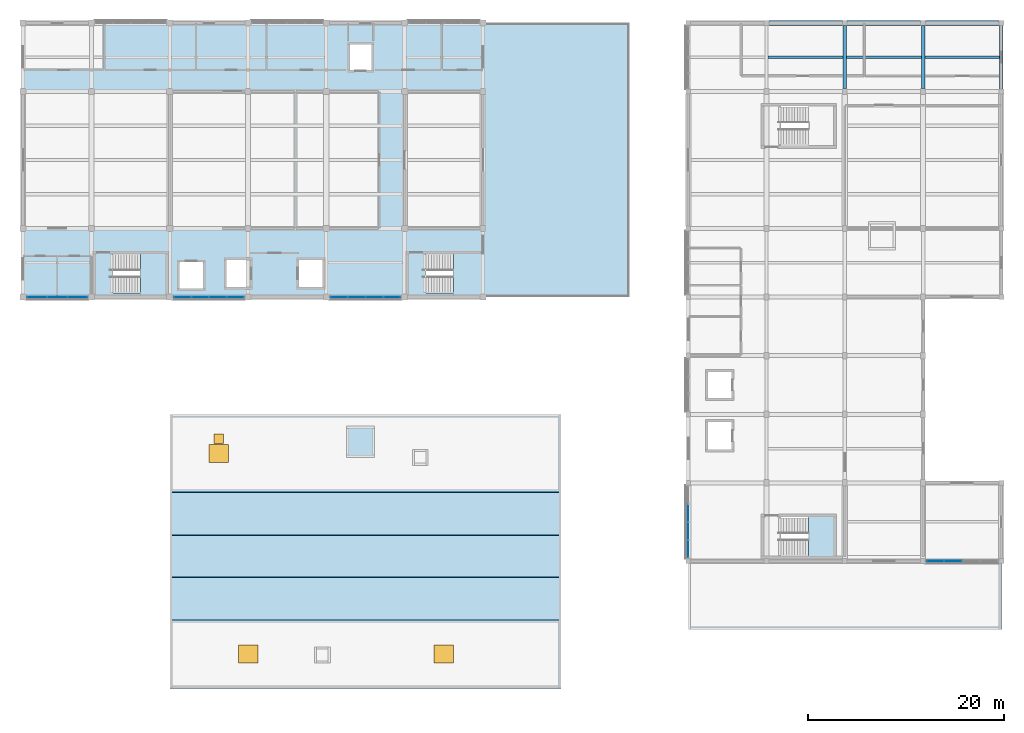
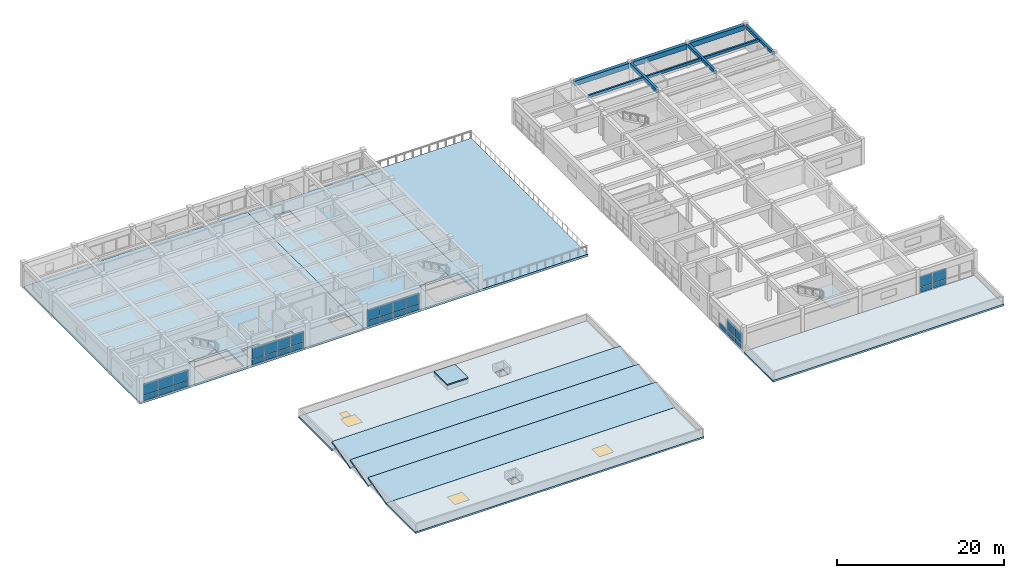
# One storey, part 9 of 22: 31 plates, 13 slabs, 9 beams, 3 windows, 1 door, 4 openings, 8 elements without a shape of their own.
"""IFC4 building model written with IfcOpenShell, lengths in metres."""

from ifc_helpers import new_model, si_unit, direction, frame, origin, origin_2d, place, context, subcontext, project, spatial, polyline, rectangle, outline, extrude, material, layer, layer_set, material_profile, profile_set, type_object, element, fill, aggregate, save


model = new_model("IFC4")

# Units and contexts
model_context = context("Model", 3, precision=1e-05, world=origin(), true_north=direction((0.0, 1.0)))
body_context = subcontext(model_context, "Body", "Model", "MODEL_VIEW")
ifc_project = project(units=[si_unit("LENGTHUNIT", "METRE"), si_unit("AREAUNIT", "SQUARE_METRE"), si_unit("VOLUMEUNIT", "CUBIC_METRE"), si_unit("PLANEANGLEUNIT", "RADIAN"), si_unit("MASSUNIT", "GRAM", prefix="KILO")], contexts=[model_context])

# Site, building, storey
site_placement = place(None, origin())
site = spatial("IfcSite", under=ifc_project, at=site_placement, CompositionType="ELEMENT")
building_placement = place(site_placement, origin())
building = spatial("IfcBuilding", under=site, at=building_placement, Name="Naurynzar Civic Courthouse", CompositionType="ELEMENT")
storey_placement = place(building_placement, frame((0.0, 0.0, 25.800048828125)))
storey = spatial("IfcBuildingStorey", under=building, at=storey_placement, Name="L07", CompositionType="ELEMENT", Elevation=25.800048828125)

# Beams
ifc_material_1 = material(Name="Concrete C40/50", Category="concrete")
ifc_material_profile_1 = material_profile(ifc_material_1, rectangle(XDim=0.25, YDim=0.39990234375, at=origin_2d()), Name="RCB 250x400")
ifc_profile_set_1 = profile_set([ifc_material_profile_1], Name="Concrete C40/50")
beam_type_1 = type_object("IfcBeamType", Name="BM-JST-250x400", PredefinedType="JOIST", material=ifc_profile_set_1)
for number, where, z_axis, x_axis, name in (
    (1, (138.175048828125, 68.5, 3.27001953125), (1.0, 0.0, 0.0), (0.0, 1.0, 0.0), "V5 secondary rib 2902 L07"),
    (2, (146.175048828125, 68.5, 3.27001953125), (1.0, 0.0, 0.0), (0.0, 1.0, 0.0), "V5 secondary rib 2903 L07"),
    (3, (154.175048828125, 68.5, 3.27001953125), (1.0, 0.0, 0.0), (0.0, 1.0, 0.0), "V5 secondary rib 2904 L07"),
):
    element("IfcBeam", number, at=place(storey_placement, frame(where, z_axis=z_axis, x_axis=x_axis)), inside=storey, type_object=beam_type_1, Name=name, PredefinedType="JOIST", context=body_context, shape_type="SweptSolid", body=[
        extrude(rectangle(XDim=0.25, YDim=0.39990234375, at=origin_2d()), origin(), (0.0, 0.0, 1.0), 7.64990234375),
    ])
ifc_material_2 = material(Name="Concrete C40/50", Category="concrete")
ifc_material_profile_2 = material_profile(ifc_material_2, rectangle(XDim=0.35009765625, YDim=0.5, at=origin_2d()), Name="RCB 350x500")
ifc_profile_set_2 = profile_set([ifc_material_profile_2], Name="Concrete C40/50")
beam_type_2 = type_object("IfcBeamType", Name="BM-RC-350x500", PredefinedType="BEAM", material=ifc_profile_set_2)
for number, where, z_axis, x_axis, name in (
    (4, (146.0, 65.324951171875, 3.219970703125), (0.0, 1.0, 0.0), (-1.0, 0.0, 0.0), "V5 girder Y-2871 L07"),
    (5, (154.0, 65.324951171875, 3.219970703125), (0.0, 1.0, 0.0), (-1.0, 0.0, 0.0), "V5 girder Y-2878 L07"),
):
    element("IfcBeam", number, at=place(storey_placement, frame(where, z_axis=z_axis, x_axis=x_axis)), inside=storey, type_object=beam_type_2, Name=name, PredefinedType="BEAM", context=body_context, shape_type="SweptSolid", body=[
        extrude(rectangle(XDim=0.35009765625, YDim=0.5, at=origin_2d()), origin(), (0.0, 0.0, 1.0), 6.425048828125),
    ])
beam_placement = place(storey_placement, frame((162.0, 65.25, 3.219970703125), z_axis=(0.0, 1.0, 0.0), x_axis=(-1.0, 0.0, 0.0)))
element("IfcBeam", 6, at=beam_placement, inside=storey, type_object=beam_type_2, Name="V5 girder Y-2882 L07", PredefinedType="BEAM", context=body_context, shape_type="SweptSolid", body=[
    extrude(rectangle(XDim=0.35009765625, YDim=0.5, at=origin_2d()), origin(), (0.0, 0.0, 1.0), 6.5),
])
ifc_material_3 = material(Name="Concrete C40/50", Category="concrete")
ifc_material_profile_3 = material_profile(ifc_material_3, rectangle(XDim=0.47509765625, YDim=0.72509765625, at=origin_2d()), Name="RCB 475x725")
ifc_profile_set_3 = profile_set([ifc_material_profile_3], Name="Concrete C40/50")
beam_type_3 = type_object("IfcBeamType", Name="BM-RC-475x725", PredefinedType="SPANDREL", material=ifc_profile_set_3)
for number, where, z_axis, x_axis, name in (
    (7, (138.25, 72.0, 3.107421875), (1.0, 0.0, 0.0), (0.0, 1.0, 0.0), "V5 beam X-2848 L07"),
    (8, (146.25, 72.0, 3.107421875), (1.0, 0.0, 0.0), (0.0, 1.0, 0.0), "V5 beam X-2849 L07"),
    (9, (154.25, 72.0, 3.107421875), (1.0, 0.0, 0.0), (0.0, 1.0, 0.0), "V5 beam X-2850 L07"),
):
    element("IfcBeam", number, at=place(storey_placement, frame(where, z_axis=z_axis, x_axis=x_axis)), inside=storey, type_object=beam_type_3, Name=name, PredefinedType="SPANDREL", context=body_context, shape_type="SweptSolid", body=[
        extrude(rectangle(XDim=0.47509765625, YDim=0.72509765625, at=origin_2d()), origin(), (0.0, 0.0, 1.0), 7.5),
    ])

# Curtain wall, plates
ifc_material_4 = material(Name="Aluminium 6063-T6", Category="aluminium")
ifc_layer_1 = layer(ifc_material_4, 0.159912109375)
ifc_layer_set_1 = layer_set([ifc_layer_1], Name="CW-UNIT-1800")
curtain_wall_type = type_object("IfcCurtainWallType", Name="CW-UNIT-1800", PredefinedType="NOTDEFINED", material=ifc_layer_set_1)
curtain_wall_1_placement = place(storey_placement, origin())
curtain_wall_1 = element("IfcCurtainWall", 10, at=curtain_wall_1_placement, inside=storey, type_object=curtain_wall_type, Name="V2 unitised curtain wall 51 L07", PredefinedType="NOTDEFINED")
ifc_material_5 = material(Name="Tempered Laminated Low-E Glass", Category="glass")
ifc_layer_2 = layer(ifc_material_5, 0.035888671875)
ifc_layer_set_2 = layer_set([ifc_layer_2], Name="CWP-IGU-36")
plate_type = type_object("IfcPlateType", Name="CWP-IGU-36", PredefinedType="CURTAIN_PANEL", material=ifc_layer_set_2)
plate_1_placement = place(storey_placement, frame((99.710693359375, 44.0, 0.06982421875), z_axis=(0.0, 0.0, 1.0), x_axis=(-1.0, 0.0, 0.0)))
plate_1 = element("IfcPlate", 11, at=plate_1_placement, type_object=plate_type, Name="CW-02 panel 1.1", PredefinedType="CURTAIN_PANEL", context=body_context, shape_type="SweptSolid", body=[
    extrude(rectangle(XDim=1.7138671875, YDim=0.035888671875, at=origin_2d()), origin(), (0.0, 0.0, 1.0), 0.7451171875),
])
plate_2_placement = place(storey_placement, frame((99.710693359375, 44.0, 0.885009765625), z_axis=(0.0, 0.0, 1.0), x_axis=(-1.0, 0.0, 0.0)))
plate_2 = element("IfcPlate", 12, at=plate_2_placement, type_object=plate_type, Name="CW-02 panel 1.2", PredefinedType="CURTAIN_PANEL", context=body_context, shape_type="SweptSolid", body=[
    extrude(rectangle(XDim=1.7138671875, YDim=0.035888671875, at=origin_2d()), origin(), (0.0, 0.0, 1.0), 1.64501953125),
])
plate_3_placement = place(storey_placement, frame((97.909423828125, 44.0, 0.06982421875), z_axis=(0.0, 0.0, 1.0), x_axis=(-1.0, 0.0, 0.0)))
plate_3 = element("IfcPlate", 13, at=plate_3_placement, type_object=plate_type, Name="CW-02 panel 2.1", PredefinedType="CURTAIN_PANEL", context=body_context, shape_type="SweptSolid", body=[
    extrude(rectangle(XDim=1.748779296875, YDim=0.035888671875, at=origin_2d()), origin(), (0.0, 0.0, 1.0), 0.7451171875),
])
plate_4_placement = place(storey_placement, frame((97.909423828125, 44.0, 0.885009765625), z_axis=(0.0, 0.0, 1.0), x_axis=(-1.0, 0.0, 0.0)))
plate_4 = element("IfcPlate", 14, at=plate_4_placement, type_object=plate_type, Name="CW-02 panel 2.2", PredefinedType="CURTAIN_PANEL", context=body_context, shape_type="SweptSolid", body=[
    extrude(rectangle(XDim=1.748779296875, YDim=0.035888671875, at=origin_2d()), origin(), (0.0, 0.0, 1.0), 1.64501953125),
])
plate_5_placement = place(storey_placement, frame((96.090576171875, 44.0, 0.06982421875), z_axis=(0.0, 0.0, 1.0), x_axis=(-1.0, 0.0, 0.0)))
plate_5 = element("IfcPlate", 15, at=plate_5_placement, type_object=plate_type, Name="CW-02 panel 3.1", PredefinedType="CURTAIN_PANEL", context=body_context, shape_type="SweptSolid", body=[
    extrude(rectangle(XDim=1.748779296875, YDim=0.035888671875, at=origin_2d()), origin(), (0.0, 0.0, 1.0), 0.7451171875),
])
plate_6_placement = place(storey_placement, frame((96.090576171875, 44.0, 0.885009765625), z_axis=(0.0, 0.0, 1.0), x_axis=(-1.0, 0.0, 0.0)))
plate_6 = element("IfcPlate", 16, at=plate_6_placement, type_object=plate_type, Name="CW-02 panel 3.2", PredefinedType="CURTAIN_PANEL", context=body_context, shape_type="SweptSolid", body=[
    extrude(rectangle(XDim=1.748779296875, YDim=0.035888671875, at=origin_2d()), origin(), (0.0, 0.0, 1.0), 1.64501953125),
])
plate_7_placement = place(storey_placement, frame((94.289306640625, 44.0, 0.06982421875), z_axis=(0.0, 0.0, 1.0), x_axis=(-1.0, 0.0, 0.0)))
plate_7 = element("IfcPlate", 17, at=plate_7_placement, type_object=plate_type, Name="CW-02 panel 4.1", PredefinedType="CURTAIN_PANEL", context=body_context, shape_type="SweptSolid", body=[
    extrude(rectangle(XDim=1.7138671875, YDim=0.035888671875, at=origin_2d()), origin(), (0.0, 0.0, 1.0), 0.7451171875),
])
plate_8_placement = place(storey_placement, frame((94.289306640625, 44.0, 0.885009765625), z_axis=(0.0, 0.0, 1.0), x_axis=(-1.0, 0.0, 0.0)))
plate_8 = element("IfcPlate", 18, at=plate_8_placement, type_object=plate_type, Name="CW-02 panel 4.2", PredefinedType="CURTAIN_PANEL", context=body_context, shape_type="SweptSolid", body=[
    extrude(rectangle(XDim=1.7138671875, YDim=0.035888671875, at=origin_2d()), origin(), (0.0, 0.0, 1.0), 1.64501953125),
])
aggregate(curtain_wall_1, [plate_1, plate_2, plate_3, plate_4, plate_5, plate_6, plate_7, plate_8])

curtain_wall_2_placement = place(storey_placement, origin())
curtain_wall_2 = element("IfcCurtainWall", 19, at=curtain_wall_2_placement, inside=storey, type_object=curtain_wall_type, Name="V2 unitised curtain wall 52 L07", PredefinedType="NOTDEFINED")
plate_9_placement = place(storey_placement, frame((83.710693359375, 44.0, 0.06982421875), z_axis=(0.0, 0.0, 1.0), x_axis=(-1.0, 0.0, 0.0)))
plate_9 = element("IfcPlate", 20, at=plate_9_placement, type_object=plate_type, Name="CW-02 panel 1.1", PredefinedType="CURTAIN_PANEL", context=body_context, shape_type="SweptSolid", body=[
    extrude(rectangle(XDim=1.7138671875, YDim=0.035888671875, at=origin_2d()), origin(), (0.0, 0.0, 1.0), 0.7451171875),
])
plate_10_placement = place(storey_placement, frame((83.710693359375, 44.0, 0.885009765625), z_axis=(0.0, 0.0, 1.0), x_axis=(-1.0, 0.0, 0.0)))
plate_10 = element("IfcPlate", 21, at=plate_10_placement, type_object=plate_type, Name="CW-02 panel 1.2", PredefinedType="CURTAIN_PANEL", context=body_context, shape_type="SweptSolid", body=[
    extrude(rectangle(XDim=1.7138671875, YDim=0.035888671875, at=origin_2d()), origin(), (0.0, 0.0, 1.0), 1.64501953125),
])
plate_11_placement = place(storey_placement, frame((81.909423828125, 44.0, 0.06982421875), z_axis=(0.0, 0.0, 1.0), x_axis=(-1.0, 0.0, 0.0)))
plate_11 = element("IfcPlate", 22, at=plate_11_placement, type_object=plate_type, Name="CW-02 panel 2.1", PredefinedType="CURTAIN_PANEL", context=body_context, shape_type="SweptSolid", body=[
    extrude(rectangle(XDim=1.748779296875, YDim=0.035888671875, at=origin_2d()), origin(), (0.0, 0.0, 1.0), 0.7451171875),
])
plate_12_placement = place(storey_placement, frame((81.909423828125, 44.0, 0.885009765625), z_axis=(0.0, 0.0, 1.0), x_axis=(-1.0, 0.0, 0.0)))
plate_12 = element("IfcPlate", 23, at=plate_12_placement, type_object=plate_type, Name="CW-02 panel 2.2", PredefinedType="CURTAIN_PANEL", context=body_context, shape_type="SweptSolid", body=[
    extrude(rectangle(XDim=1.748779296875, YDim=0.035888671875, at=origin_2d()), origin(), (0.0, 0.0, 1.0), 1.64501953125),
])
plate_13_placement = place(storey_placement, frame((80.090576171875, 44.0, 0.06982421875), z_axis=(0.0, 0.0, 1.0), x_axis=(-1.0, 0.0, 0.0)))
plate_13 = element("IfcPlate", 24, at=plate_13_placement, type_object=plate_type, Name="CW-02 panel 3.1", PredefinedType="CURTAIN_PANEL", context=body_context, shape_type="SweptSolid", body=[
    extrude(rectangle(XDim=1.748779296875, YDim=0.035888671875, at=origin_2d()), origin(), (0.0, 0.0, 1.0), 0.7451171875),
])
plate_14_placement = place(storey_placement, frame((80.090576171875, 44.0, 0.885009765625), z_axis=(0.0, 0.0, 1.0), x_axis=(-1.0, 0.0, 0.0)))
plate_14 = element("IfcPlate", 25, at=plate_14_placement, type_object=plate_type, Name="CW-02 panel 3.2", PredefinedType="CURTAIN_PANEL", context=body_context, shape_type="SweptSolid", body=[
    extrude(rectangle(XDim=1.748779296875, YDim=0.035888671875, at=origin_2d()), origin(), (0.0, 0.0, 1.0), 1.64501953125),
])
plate_15_placement = place(storey_placement, frame((78.289306640625, 44.0, 0.06982421875), z_axis=(0.0, 0.0, 1.0), x_axis=(-1.0, 0.0, 0.0)))
plate_15 = element("IfcPlate", 26, at=plate_15_placement, type_object=plate_type, Name="CW-02 panel 4.1", PredefinedType="CURTAIN_PANEL", context=body_context, shape_type="SweptSolid", body=[
    extrude(rectangle(XDim=1.7138671875, YDim=0.035888671875, at=origin_2d()), origin(), (0.0, 0.0, 1.0), 0.7451171875),
])
plate_16_placement = place(storey_placement, frame((78.289306640625, 44.0, 0.885009765625), z_axis=(0.0, 0.0, 1.0), x_axis=(-1.0, 0.0, 0.0)))
plate_16 = element("IfcPlate", 27, at=plate_16_placement, type_object=plate_type, Name="CW-02 panel 4.2", PredefinedType="CURTAIN_PANEL", context=body_context, shape_type="SweptSolid", body=[
    extrude(rectangle(XDim=1.7138671875, YDim=0.035888671875, at=origin_2d()), origin(), (0.0, 0.0, 1.0), 1.64501953125),
])
aggregate(curtain_wall_2, [plate_9, plate_10, plate_11, plate_12, plate_13, plate_14, plate_15, plate_16])

curtain_wall_3_placement = place(storey_placement, origin())
curtain_wall_3 = element("IfcCurtainWall", 28, at=curtain_wall_3_placement, inside=storey, type_object=curtain_wall_type, Name="V2 unitised curtain wall 53 L07", PredefinedType="NOTDEFINED")
plate_17_placement = place(storey_placement, frame((67.57421875, 44.0, 0.06982421875), z_axis=(0.0, 0.0, 1.0), x_axis=(-1.0, 0.0, 0.0)))
plate_17 = element("IfcPlate", 29, at=plate_17_placement, type_object=plate_type, Name="CW-02 panel 1.1", PredefinedType="CURTAIN_PANEL", context=body_context, shape_type="SweptSolid", body=[
    extrude(rectangle(XDim=1.986572265625, YDim=0.035888671875, at=origin_2d()), origin(), (0.0, 0.0, 1.0), 0.7451171875),
])
plate_18_placement = place(storey_placement, frame((67.57421875, 44.0, 0.885009765625), z_axis=(0.0, 0.0, 1.0), x_axis=(-1.0, 0.0, 0.0)))
plate_18 = element("IfcPlate", 30, at=plate_18_placement, type_object=plate_type, Name="CW-02 panel 1.2", PredefinedType="CURTAIN_PANEL", context=body_context, shape_type="SweptSolid", body=[
    extrude(rectangle(XDim=1.986572265625, YDim=0.035888671875, at=origin_2d()), origin(), (0.0, 0.0, 1.0), 1.64501953125),
])
plate_19_placement = place(storey_placement, frame((65.5, 44.0, 0.06982421875), z_axis=(0.0, 0.0, 1.0), x_axis=(-1.0, 0.0, 0.0)))
plate_19 = element("IfcPlate", 31, at=plate_19_placement, type_object=plate_type, Name="CW-02 panel 2.1", PredefinedType="CURTAIN_PANEL", context=body_context, shape_type="SweptSolid", body=[
    extrude(rectangle(XDim=2.021728515625, YDim=0.035888671875, at=origin_2d()), origin(), (0.0, 0.0, 1.0), 0.7451171875),
])
plate_20_placement = place(storey_placement, frame((65.5, 44.0, 0.885009765625), z_axis=(0.0, 0.0, 1.0), x_axis=(-1.0, 0.0, 0.0)))
plate_20 = element("IfcPlate", 32, at=plate_20_placement, type_object=plate_type, Name="CW-02 panel 2.2", PredefinedType="CURTAIN_PANEL", context=body_context, shape_type="SweptSolid", body=[
    extrude(rectangle(XDim=2.021728515625, YDim=0.035888671875, at=origin_2d()), origin(), (0.0, 0.0, 1.0), 1.64501953125),
])
plate_21_placement = place(storey_placement, frame((63.42578125, 44.0, 0.06982421875), z_axis=(0.0, 0.0, 1.0), x_axis=(-1.0, 0.0, 0.0)))
plate_21 = element("IfcPlate", 33, at=plate_21_placement, type_object=plate_type, Name="CW-02 panel 3.1", PredefinedType="CURTAIN_PANEL", context=body_context, shape_type="SweptSolid", body=[
    extrude(rectangle(XDim=1.986572265625, YDim=0.035888671875, at=origin_2d()), origin(), (0.0, 0.0, 1.0), 0.7451171875),
])
plate_22_placement = place(storey_placement, frame((63.42578125, 44.0, 0.885009765625), z_axis=(0.0, 0.0, 1.0), x_axis=(-1.0, 0.0, 0.0)))
plate_22 = element("IfcPlate", 34, at=plate_22_placement, type_object=plate_type, Name="CW-02 panel 3.2", PredefinedType="CURTAIN_PANEL", context=body_context, shape_type="SweptSolid", body=[
    extrude(rectangle(XDim=1.986572265625, YDim=0.035888671875, at=origin_2d()), origin(), (0.0, 0.0, 1.0), 1.64501953125),
])
aggregate(curtain_wall_3, [plate_17, plate_18, plate_19, plate_20, plate_21, plate_22])

curtain_wall_4_placement = place(storey_placement, origin())
curtain_wall_4 = element("IfcCurtainWall", 35, at=curtain_wall_4_placement, inside=storey, type_object=curtain_wall_type, Name="V5 unitised curtain wall 112 L07", PredefinedType="NOTDEFINED")
plate_23_placement = place(storey_placement, frame((130.0, 18.242431640625, 0.06982421875), z_axis=(0.0, 0.0, 1.0), x_axis=(0.0, 1.0, 0.0)))
plate_23 = element("IfcPlate", 36, at=plate_23_placement, type_object=plate_type, Name="CW-02 panel 1.1", PredefinedType="CURTAIN_PANEL", context=body_context, shape_type="SweptSolid", body=[
    extrude(rectangle(XDim=1.7451171875, YDim=0.035888671875, at=origin_2d()), origin(), (0.0, 0.0, 1.0), 0.7451171875),
])
plate_24_placement = place(storey_placement, frame((130.0, 18.242431640625, 0.884765625), z_axis=(0.0, 0.0, 1.0), x_axis=(0.0, 1.0, 0.0)))
plate_24 = element("IfcPlate", 37, at=plate_24_placement, type_object=plate_type, Name="CW-02 panel 1.2", PredefinedType="CURTAIN_PANEL", context=body_context, shape_type="SweptSolid", body=[
    extrude(rectangle(XDim=1.7451171875, YDim=0.035888671875, at=origin_2d()), origin(), (0.0, 0.0, 1.0), 1.594970703125),
])
plate_25_placement = place(storey_placement, frame((130.0, 20.074951171875, 0.06982421875), z_axis=(0.0, 0.0, 1.0), x_axis=(0.0, 1.0, 0.0)))
plate_25 = element("IfcPlate", 38, at=plate_25_placement, type_object=plate_type, Name="CW-02 panel 2.1", PredefinedType="CURTAIN_PANEL", context=body_context, shape_type="SweptSolid", body=[
    extrude(rectangle(XDim=1.780029296875, YDim=0.035888671875, at=origin_2d()), origin(), (0.0, 0.0, 1.0), 0.7451171875),
])
plate_26_placement = place(storey_placement, frame((130.0, 20.074951171875, 0.884765625), z_axis=(0.0, 0.0, 1.0), x_axis=(0.0, 1.0, 0.0)))
plate_26 = element("IfcPlate", 39, at=plate_26_placement, type_object=plate_type, Name="CW-02 panel 2.2", PredefinedType="CURTAIN_PANEL", context=body_context, shape_type="SweptSolid", body=[
    extrude(rectangle(XDim=1.780029296875, YDim=0.035888671875, at=origin_2d()), origin(), (0.0, 0.0, 1.0), 1.594970703125),
])
plate_27_placement = place(storey_placement, frame((130.0, 21.925048828125, 0.06982421875), z_axis=(0.0, 0.0, 1.0), x_axis=(0.0, 1.0, 0.0)))
plate_27 = element("IfcPlate", 40, at=plate_27_placement, type_object=plate_type, Name="CW-02 panel 3.1", PredefinedType="CURTAIN_PANEL", context=body_context, shape_type="SweptSolid", body=[
    extrude(rectangle(XDim=1.780029296875, YDim=0.035888671875, at=origin_2d()), origin(), (0.0, 0.0, 1.0), 0.7451171875),
])
aggregate(curtain_wall_4, [plate_23, plate_24, plate_25, plate_26, plate_27])

curtain_wall_5_placement = place(storey_placement, origin())
curtain_wall_5 = element("IfcCurtainWall", 41, at=curtain_wall_5_placement, inside=storey, type_object=curtain_wall_type, Name="V5 unitised curtain wall 116 L07", PredefinedType="NOTDEFINED")
plate_28_placement = place(storey_placement, frame((157.074951171875, 17.0, 0.06982421875), z_axis=(0.0, 0.0, 1.0), x_axis=(-1.0, 0.0, 0.0)))
plate_28 = element("IfcPlate", 42, at=plate_28_placement, type_object=plate_type, Name="CW-02 panel 3.1", PredefinedType="CURTAIN_PANEL", context=body_context, shape_type="SweptSolid", body=[
    extrude(rectangle(XDim=1.780029296875, YDim=0.035888671875, at=origin_2d()), origin(), (0.0, 0.0, 1.0), 0.7451171875),
])
plate_29_placement = place(storey_placement, frame((157.074951171875, 17.0, 0.884765625), z_axis=(0.0, 0.0, 1.0), x_axis=(-1.0, 0.0, 0.0)))
plate_29 = element("IfcPlate", 43, at=plate_29_placement, type_object=plate_type, Name="CW-02 panel 3.2", PredefinedType="CURTAIN_PANEL", context=body_context, shape_type="SweptSolid", body=[
    extrude(rectangle(XDim=1.780029296875, YDim=0.035888671875, at=origin_2d()), origin(), (0.0, 0.0, 1.0), 1.594970703125),
])
plate_30_placement = place(storey_placement, frame((155.242431640625, 17.0, 0.06982421875), z_axis=(0.0, 0.0, 1.0), x_axis=(-1.0, 0.0, 0.0)))
plate_30 = element("IfcPlate", 44, at=plate_30_placement, type_object=plate_type, Name="CW-02 panel 4.1", PredefinedType="CURTAIN_PANEL", context=body_context, shape_type="SweptSolid", body=[
    extrude(rectangle(XDim=1.7451171875, YDim=0.035888671875, at=origin_2d()), origin(), (0.0, 0.0, 1.0), 0.7451171875),
])
plate_31_placement = place(storey_placement, frame((155.242431640625, 17.0, 0.884765625), z_axis=(0.0, 0.0, 1.0), x_axis=(-1.0, 0.0, 0.0)))
plate_31 = element("IfcPlate", 45, at=plate_31_placement, type_object=plate_type, Name="CW-02 panel 4.2", PredefinedType="CURTAIN_PANEL", context=body_context, shape_type="SweptSolid", body=[
    extrude(rectangle(XDim=1.7451171875, YDim=0.035888671875, at=origin_2d()), origin(), (0.0, 0.0, 1.0), 1.594970703125),
])
aggregate(curtain_wall_5, [plate_28, plate_29, plate_30, plate_31])

# Slab, openings, windows
ifc_material_6 = material(Name="Concrete C40/50", Category="concrete")
ifc_layer_3 = layer(ifc_material_6, 0.25)
ifc_layer_set_3 = layer_set([ifc_layer_3], Name="ROOF-CLER-250")
slab_type_1 = type_object("IfcSlabType", Name="ROOF-CLER-250", PredefinedType="ROOF", material=ifc_layer_set_3)
slab_1_placement = place(storey_placement, frame((0.0, 0.0, -0.25)))
slab_1 = element("IfcSlab", 46, at=slab_1_placement, inside=storey, type_object=slab_type_1, Name="V3 Law Library south stack flat roof slab", PredefinedType="ROOF", context=body_context, shape_type="SweptSolid", body=[
    extrude(outline(polyline([(77.0, 4.0), (117.0, 4.0), (117.0, 11.0), (77.0, 11.0), (77.0, 4.0)]), holes=[polyline([(92.0, 6.800048828125), (93.199951171875, 6.800048828125), (93.199951171875, 8.0), (92.0, 8.0), (92.0, 6.800048828125)])]), origin(), (0.0, 0.0, 1.0), 0.25),
])
opening_1_placement = place(slab_1_placement, frame((85.0, 7.5, 0.0)))
opening_1 = element("IfcOpeningElement", 47, at=opening_1_placement, cuts=slab_1, Name="Opening SK-02", PredefinedType="OPENING", context=body_context, shape_type="SweptSolid", body=[
    extrude(rectangle(XDim=2.0, YDim=1.800048828125, at=origin_2d()), origin(), (0.0, 0.0, 1.0), 0.25),
])
opening_2_placement = place(slab_1_placement, frame((105.0, 7.5, 0.0)))
opening_2 = element("IfcOpeningElement", 48, at=opening_2_placement, cuts=slab_1, Name="Opening SK-02", PredefinedType="OPENING", context=body_context, shape_type="SweptSolid", body=[
    extrude(rectangle(XDim=2.0, YDim=1.800048828125, at=origin_2d()), origin(), (0.0, 0.0, 1.0), 0.25),
])
ifc_material_7 = material(Name="Tempered Laminated Low-E Glass", Category="glass")
window_type = type_object("IfcWindowType", Name="SKY-LIB-2000x1800", PartitioningType="DOUBLE_PANEL_VERTICAL", PredefinedType="SKYLIGHT", material=ifc_material_7)
window_1_placement = place(opening_1_placement, frame((0.0, 0.0, 0.199951171875)))
window_1 = element("IfcWindow", 49, at=window_1_placement, inside=storey, type_object=window_type, Name="Roof daylight skylight SKY-01", OverallHeight=1.800048828125, OverallWidth=2.0, PartitioningType="SINGLE_PANEL", PredefinedType="SKYLIGHT", context=body_context, shape_type="SweptSolid", body=[
    extrude(rectangle(XDim=2.0, YDim=1.800048828125, at=origin_2d()), origin(), (0.0, 0.0, 1.0), 0.050048828125),
])
fill(opening_1, window_1)
window_2_placement = place(opening_2_placement, frame((0.0, 0.0, 0.199951171875)))
window_2 = element("IfcWindow", 50, at=window_2_placement, inside=storey, type_object=window_type, Name="Roof daylight skylight SKY-02", OverallHeight=1.800048828125, OverallWidth=2.0, PartitioningType="SINGLE_PANEL", PredefinedType="SKYLIGHT", context=body_context, shape_type="SweptSolid", body=[
    extrude(rectangle(XDim=2.0, YDim=1.800048828125, at=origin_2d()), origin(), (0.0, 0.0, 1.0), 0.050048828125),
])
fill(opening_2, window_2)

# Slab, openings, door, window
slab_2_placement = place(storey_placement, frame((0.0, 0.0, -0.25)))
slab_2 = element("IfcSlab", 51, at=slab_2_placement, inside=storey, type_object=slab_type_1, Name="V3 Law Library north stack flat roof slab", PredefinedType="ROOF", context=body_context, shape_type="SweptSolid", body=[
    extrude(outline(polyline([(77.0, 24.0), (117.0, 24.0), (117.0, 32.0), (77.0, 32.0), (77.0, 24.0)]), holes=[polyline([(102.0, 27.0), (103.199951171875, 27.0), (103.199951171875, 28.199951171875), (102.0, 28.199951171875), (102.0, 27.0)])]), origin(), (0.0, 0.0, 1.0), 0.25),
])
opening_3_placement = place(slab_2_placement, frame((82.0, 28.0, 0.0)))
opening_3 = element("IfcOpeningElement", 52, at=opening_3_placement, cuts=slab_2, Name="Opening SK-02", PredefinedType="OPENING", context=body_context, shape_type="SweptSolid", body=[
    extrude(rectangle(XDim=2.0, YDim=1.800048828125, at=origin_2d()), origin(), (0.0, 0.0, 1.0), 0.25),
])
opening_4_placement = place(slab_2_placement, frame((82.0, 29.5, 0.0)))
opening_4 = element("IfcOpeningElement", 53, at=opening_4_placement, cuts=slab_2, Name="Opening RH-05", PredefinedType="OPENING", context=body_context, shape_type="SweptSolid", body=[
    extrude(rectangle(XDim=1.0, YDim=1.0, at=origin_2d()), origin(), (0.0, 0.0, 1.0), 0.25),
])
ifc_material_8 = material(Name="Powder-Coated Galvanised Steel", Category="steel")
door_type = type_object("IfcDoorType", Name="HT-ROOF-1000x1000", OperationType="SINGLE_SWING_LEFT", PredefinedType="TRAPDOOR", material=ifc_material_8)
door_placement = place(opening_4_placement, frame((0.0, 0.0, 0.199951171875)))
door = element("IfcDoor", 54, at=door_placement, inside=storey, type_object=door_type, Name="Roof maintenance access hatch RH-05", OperationType="SINGLE_SWING_LEFT", OverallHeight=1.0, OverallWidth=1.0, PredefinedType="TRAPDOOR", context=body_context, shape_type="SweptSolid", body=[
    extrude(rectangle(XDim=1.0, YDim=1.0, at=origin_2d()), origin(), (0.0, 0.0, 1.0), 0.050048828125),
])
fill(opening_4, door)
window_3_placement = place(opening_3_placement, frame((0.0, 0.0, 0.199951171875)))
window_3 = element("IfcWindow", 55, at=window_3_placement, inside=storey, type_object=window_type, Name="Roof daylight skylight SKY-03", OverallHeight=1.800048828125, OverallWidth=2.0, PartitioningType="SINGLE_PANEL", PredefinedType="SKYLIGHT", context=body_context, shape_type="SweptSolid", body=[
    extrude(rectangle(XDim=2.0, YDim=1.800048828125, at=origin_2d()), origin(), (0.0, 0.0, 1.0), 0.050048828125),
])
fill(opening_3, window_3)

# Slabs
for number, where, z_axis, x_axis, name in (
    (56, (77.0, 11.0, 0.0), (0.0, -0.258338526782, 0.966054452699), (1.0, 0.0, 0.0), "V3 Law Library north-light clerestory monitor roof 1"),
    (57, (77.0, 15.300048828125, 0.0), (0.0, -0.258338526782, 0.966054452699), (1.0, 0.0, 0.0), "V3 Law Library north-light clerestory monitor roof 2"),
):
    element("IfcSlab", number, at=place(storey_placement, frame(where, z_axis=z_axis, x_axis=x_axis)), inside=storey, type_object=slab_type_1, Name=name, PredefinedType="ROOF", context=body_context, shape_type="SweptSolid", body=[
        extrude(outline(polyline([(0.0, 0.0), (40.0, 0.0), (40.0, 4.4511453946620225), (0.0, 4.4511453946620225), (0.0, 0.0)])), origin(), (0.0, 0.0, -1.0), 0.25),
    ])
slab_3_placement = place(storey_placement, frame((77.0, 19.60009765625, 0.0), z_axis=(0.0, -0.25285457948, 0.96750429541), x_axis=(1.0, 0.0, 0.0)))
element("IfcSlab", 58, at=slab_3_placement, inside=storey, type_object=slab_type_1, Name="V3 Law Library north-light clerestory monitor roof 3", PredefinedType="ROOF", context=body_context, shape_type="SweptSolid", body=[
    extrude(outline(polyline([(0.0, 0.0), (40.0, 0.0), (40.0, 4.547682490532786), (0.0, 4.547682490532786), (0.0, 0.0)])), origin(), (0.0, 0.0, -1.0), 0.25),
])
ifc_material_9 = material(Name="Concrete C40/50", Category="concrete")
ifc_layer_4 = layer(ifc_material_9, 0.22998046875)
ifc_layer_set_4 = layer_set([ifc_layer_4], Name="ROOF-CRWN-230")
slab_type_2 = type_object("IfcSlabType", Name="ROOF-CRWN-230", PredefinedType="ROOF", material=ifc_layer_set_4)
slab_4_placement = place(storey_placement, frame((0.0, 0.0, 0.800048828125)))
element("IfcSlab", 59, at=slab_4_placement, inside=storey, type_object=slab_type_2, Name="Lift LP-04 overrun cap slab", PredefinedType="ROOF", context=body_context, shape_type="SweptSolid", body=[
    extrude(outline(polyline([(95.050048828125, 27.60009765625), (97.949951171875, 27.60009765625), (97.949951171875, 30.800048828125), (95.050048828125, 30.800048828125), (95.050048828125, 27.60009765625)])), origin(), (0.0, 0.0, 1.0), 0.179931640625),
])
ifc_material_10 = material(Name="Concrete C40/50", Category="concrete")
ifc_layer_5 = layer(ifc_material_10, 0.27001953125)
ifc_layer_set_5 = layer_set([ifc_layer_5], Name="ROOF-FLAT-270")
slab_type_3 = type_object("IfcSlabType", Name="ROOF-FLAT-270", PredefinedType="ROOF", material=ifc_layer_set_5)
slab_5_placement = place(storey_placement, frame((0.0, 0.0, -0.27001953125)))
element("IfcSlab", 60, at=slab_5_placement, inside=storey, type_object=slab_type_3, Name="V5 L07 south stepback flat roof slab", PredefinedType="ROOF", context=body_context, shape_type="SweptSolid", body=[
    extrude(outline(polyline([(130.0, 10.0), (162.0, 10.0), (162.0, 17.0), (130.0, 17.0), (130.0, 10.0)])), origin(), (0.0, 0.0, 1.0), 0.27001953125),
])

# Stair, slab
ifc_material_11 = material(Name="Concrete C35/45", Category="concrete")
stair_type = type_object("IfcStairType", Name="STAIR-CORE-1600", PredefinedType="TWO_STRAIGHT_RUN_STAIR", material=ifc_material_11)
stair_1_placement = place(storey_placement, origin())
stair_1 = element("IfcStair", 61, at=stair_1_placement, inside=storey, type_object=stair_type, Name="Enclosed escape stair ST-V2A L07", PredefinedType="TWO_STRAIGHT_RUN_STAIR")
ifc_material_12 = material(Name="Concrete C35/45", Category="concrete")
ifc_layer_6 = layer(ifc_material_12, 0.199951171875)
ifc_layer_set_6 = layer_set([ifc_layer_6], Name="SLB-LAND-200")
slab_type_4 = type_object("IfcSlabType", Name="SLB-LAND-200", PredefinedType="LANDING", material=ifc_layer_set_6)
slab_6_placement = place(storey_placement, frame((0.0, 0.0, 1.675048828125)))
slab_6 = element("IfcSlab", 62, at=slab_6_placement, type_object=slab_type_4, Name="ST-V2A-L07 landing 1", PredefinedType="LANDING", context=body_context, shape_type="SweptSolid", body=[
    extrude(outline(polyline([(73.97998046875, 44.080078125), (76.669921875, 44.080078125), (76.669921875, 48.52001953125), (73.97998046875, 48.52001953125), (73.97998046875, 44.080078125)])), origin(), (0.0, 0.0, 1.0), 0.199951171875),
])
aggregate(stair_1, [slab_6])

stair_2_placement = place(storey_placement, origin())
stair_2 = element("IfcStair", 63, at=stair_2_placement, inside=storey, type_object=stair_type, Name="Enclosed escape stair ST-V2B L07", PredefinedType="TWO_STRAIGHT_RUN_STAIR")
slab_7_placement = place(storey_placement, frame((0.0, 0.0, 1.675048828125)))
slab_7 = element("IfcSlab", 64, at=slab_7_placement, type_object=slab_type_4, Name="ST-V2B-L07 landing 1", PredefinedType="LANDING", context=body_context, shape_type="SweptSolid", body=[
    extrude(outline(polyline([(105.97998046875, 44.080078125), (108.919921875, 44.080078125), (108.919921875, 48.52001953125), (105.97998046875, 48.52001953125), (105.97998046875, 44.080078125)])), origin(), (0.0, 0.0, 1.0), 0.199951171875),
])
aggregate(stair_2, [slab_7])

stair_3_placement = place(storey_placement, origin())
stair_3 = element("IfcStair", 65, at=stair_3_placement, inside=storey, type_object=stair_type, Name="Enclosed escape stair ST-V5A L07", PredefinedType="TWO_STRAIGHT_RUN_STAIR")
slab_8_placement = place(storey_placement, frame((0.0, 0.0, 1.675048828125)))
slab_8 = element("IfcSlab", 66, at=slab_8_placement, type_object=slab_type_4, Name="ST-V5A-L07 landing 1", PredefinedType="LANDING", context=body_context, shape_type="SweptSolid", body=[
    extrude(outline(polyline([(142.280029296875, 17.3798828125), (144.969970703125, 17.3798828125), (144.969970703125, 21.6201171875), (142.280029296875, 21.6201171875), (142.280029296875, 17.3798828125)])), origin(), (0.0, 0.0, 1.0), 0.199951171875),
])
aggregate(stair_3, [slab_8])

# Slabs
ifc_material_13 = material(Name="Concrete C35/45", Category="concrete")
ifc_layer_7 = layer(ifc_material_13, 0.280029296875)
ifc_layer_set_7 = layer_set([ifc_layer_7], Name="SLB-PT-280")
slab_type_5 = type_object("IfcSlabType", Name="SLB-PT-280", PredefinedType="FLOOR", material=ifc_layer_set_7)
slab_9_placement = place(storey_placement, frame((0.0, 0.0, -0.280029296875)))
element("IfcSlab", 67, at=slab_9_placement, inside=storey, type_object=slab_type_5, Name="V2 floor slab L07 W", PredefinedType="FLOOR", context=body_context, shape_type="SweptSolid", body=[
    extrude(outline(polyline([(93.0, 44.0), (93.0, 72.0), (62.0, 72.0), (62.0, 44.0), (93.0, 44.0)]), holes=[polyline([(71.179931640625, 44.39990234375), (76.550048828125, 44.39990234375), (76.550048828125, 48.39990234375), (71.179931640625, 48.39990234375), (71.179931640625, 44.39990234375)]), polyline([(78.0, 44.85009765625), (80.39990234375, 44.85009765625), (80.39990234375, 47.550048828125), (78.0, 47.550048828125), (78.0, 44.85009765625)]), polyline([(82.800048828125, 45.0), (85.199951171875, 45.0), (85.199951171875, 47.800048828125), (82.800048828125, 47.800048828125), (82.800048828125, 45.0)]), polyline([(90.199951171875, 45.0), (92.60009765625, 45.0), (92.60009765625, 47.800048828125), (90.199951171875, 47.800048828125), (90.199951171875, 45.0)])]), origin(), (0.0, 0.0, 1.0), 0.280029296875),
])
slab_10_placement = place(storey_placement, frame((0.0, 0.0, -0.280029296875)))
element("IfcSlab", 68, at=slab_10_placement, inside=storey, type_object=slab_type_5, Name="V2 floor slab L07 E", PredefinedType="FLOOR", context=body_context, shape_type="SweptSolid", body=[
    extrude(outline(polyline([(109.0, 44.0), (109.0, 72.0), (93.0, 72.0), (93.0, 44.0), (109.0, 44.0)]), holes=[polyline([(103.179931640625, 44.39990234375), (108.550048828125, 44.39990234375), (108.550048828125, 48.39990234375), (103.179931640625, 48.39990234375), (103.179931640625, 44.39990234375)]), polyline([(95.39990234375, 67.199951171875), (97.60009765625, 67.199951171875), (97.60009765625, 69.800048828125), (95.39990234375, 69.800048828125), (95.39990234375, 67.199951171875)])]), origin(), (0.0, 0.0, 1.0), 0.280029296875),
])
ifc_material_14 = material(Name="Concrete C35/45", Category="concrete")
ifc_layer_8 = layer(ifc_material_14, 0.320068359375)
ifc_layer_set_8 = layer_set([ifc_layer_8], Name="SLB-TERR-320")
slab_type_6 = type_object("IfcSlabType", Name="SLB-TERR-320", PredefinedType="FLOOR", material=ifc_layer_set_8)
slab_11_placement = place(storey_placement, frame((0.0, 0.0, -0.320068359375)))
element("IfcSlab", 69, at=slab_11_placement, inside=storey, type_object=slab_type_6, Name="Planted roof garden deck RG-V2-L07", PredefinedType="FLOOR", context=body_context, shape_type="SweptSolid", body=[
    extrude(outline(polyline([(109.0, 44.0), (124.0, 44.0), (124.0, 72.0), (109.0, 72.0), (109.0, 44.0)])), origin(), (0.0, 0.0, 1.0), 0.320068359375),
])

save(model, "model.ifc")
